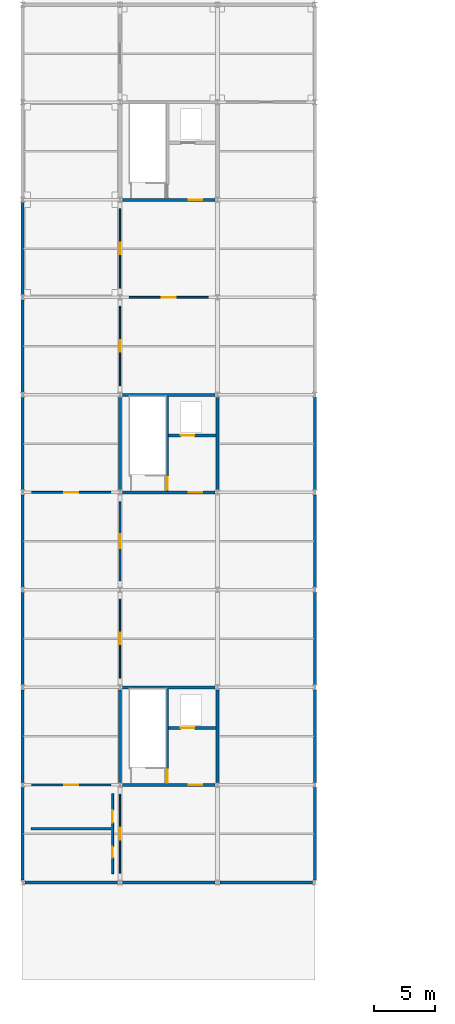
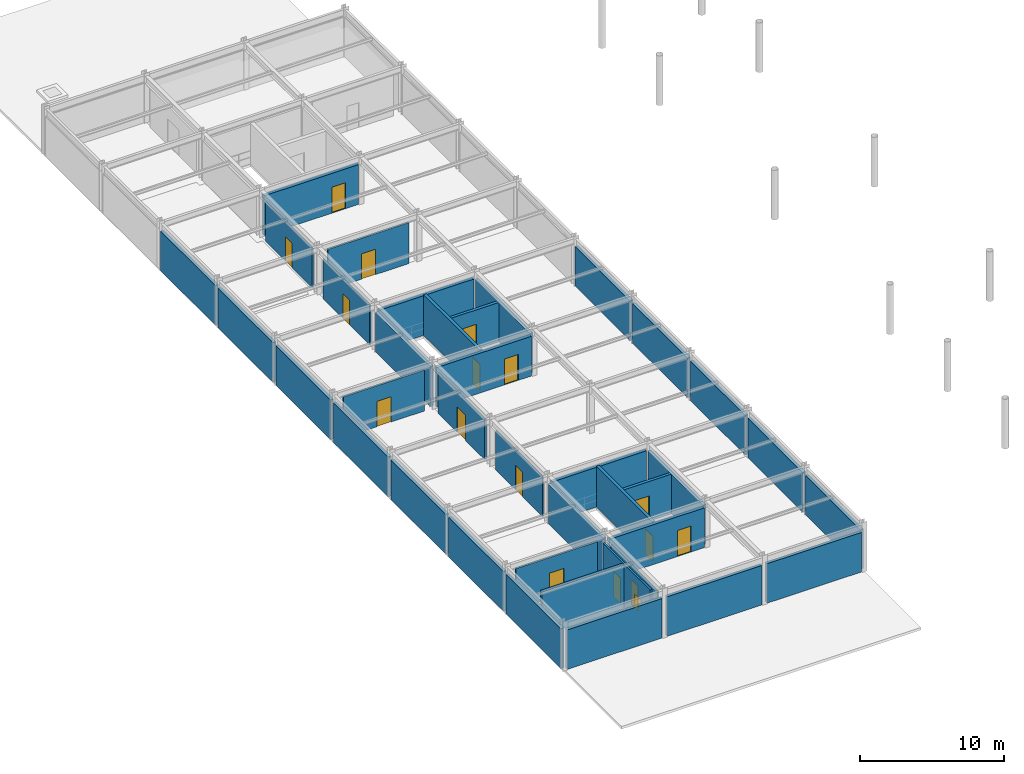
# One storey, part 34 of 41: 38 walls, 17 doors, 17 openings.
"""IFC4 building model written with IfcOpenShell, lengths in metres."""

from ifc_helpers import new_model, si_unit, direction, frame, frame_2d, origin, place, context, subcontext, project, spatial, rectangle, extrude, material, layer, layer_set, type_object, element, fill, save


model = new_model("IFC4")

# Units and contexts
model_context = context("Model", 3, precision=1e-05, world=origin(), true_north=direction((0.0, 1.0)))
body_context = subcontext(model_context, "Body", "Model", "MODEL_VIEW")
ifc_project = project(units=[si_unit("LENGTHUNIT", "METRE"), si_unit("AREAUNIT", "SQUARE_METRE"), si_unit("VOLUMEUNIT", "CUBIC_METRE"), si_unit("PLANEANGLEUNIT", "RADIAN"), si_unit("MASSUNIT", "GRAM", prefix="KILO")], contexts=[model_context])

# Site, building, storey
site_placement = place(None, origin())
site = spatial("IfcSite", under=ifc_project, at=site_placement, CompositionType="ELEMENT")
building_placement = place(site_placement, origin())
building = spatial("IfcBuilding", under=site, at=building_placement, Name="Haebicheon Civic Stadium", CompositionType="ELEMENT")
storey_placement = place(building_placement, frame((0.0, 0.0, 27.0)))
storey = spatial("IfcBuildingStorey", under=building, at=storey_placement, Name="L07", CompositionType="ELEMENT", Elevation=27.0)

# Wall, opening, door
ifc_material_1 = material(Name="Concrete C40/50", Category="concrete")
ifc_layer_1 = layer(ifc_material_1, 0.239990234375, Name="Concrete C40/50")
ifc_layer_set_1 = layer_set([ifc_layer_1], Name="Concrete C40/50")
wall_type_1 = type_object("IfcWallType", Name="CW-SHR-240", PredefinedType="SHEAR", material=ifc_layer_set_1)
wall_1_placement = place(storey_placement, frame((32.199951171875, 56.0, 0.0), z_axis=(0.0, 0.0, 1.0), x_axis=(1.0, 0.0, 0.0)))
wall_1 = element("IfcWall", 1, at=wall_1_placement, inside=storey, type_object=wall_type_1, material=ifc_layer_set_1, Name="KC-02 L07 south core shear wall", PredefinedType="SHEAR", context=body_context, shape_type="SweptSolid", body=[
    extrude(rectangle(XDim=7.60009765625, YDim=0.239990234375, at=frame_2d((3.800048828125, 0.0))), origin(), (0.0, 0.0, 1.0), 3.3701171875),
])
opening_1_placement = place(wall_1_placement, frame((5.449951171875, 0.0, 0.0)))
opening_1 = element("IfcOpeningElement", 2, at=opening_1_placement, cuts=wall_1, Name="Opening D-L07-KC-02-LOB", PredefinedType="OPENING", context=body_context, shape_type="SweptSolid", body=[
    extrude(rectangle(XDim=1.10009765625, YDim=2.199951171875, at=frame_2d((0.550048828125, 1.10009765625))), frame((0.0, 0.1298828125, 0.0), z_axis=(0.0, -1.0, 0.0), x_axis=(1.0, 0.0, 0.0)), (0.0, 0.0, 1.0), 0.260009765625),
])
ifc_material_2 = material(Name="Galvanised painted steel SM355", Category="steel")
door_type_1 = type_object("IfcDoorType", Name="ID-FD-1100", OperationType="NOTDEFINED", PredefinedType="DOOR", material=ifc_material_2)
door_1_placement = place(opening_1_placement, origin())
door_1 = element("IfcDoor", 3, at=door_1_placement, inside=storey, type_object=door_type_1, material=ifc_material_2, Name="L07 KC-02 lobby fire door", OperationType="SINGLE_SWING_RIGHT", OverallHeight=2.199951171875, OverallWidth=1.10009765625, PredefinedType="DOOR", context=body_context, shape_type="SweptSolid", body=[
    extrude(rectangle(XDim=1.10009765625, YDim=2.199951171875, at=frame_2d((0.550048828125, 1.10009765625))), frame((0.0, 0.02490234375, 0.0), z_axis=(0.0, -1.0, 0.0), x_axis=(1.0, 0.0, 0.0)), (0.0, 0.0, 1.0), 0.050048828125),
])
fill(opening_1, door_1)

# Walls
for number, where, z_axis, x_axis, name in (
    (4, (32.199951171875, 64.0, 0.0), (0.0, 0.0, 1.0), (1.0, 0.0, 0.0), "KC-02 L07 north core shear wall"),
    (5, (32.0, 56.199951171875, 0.0), (0.0, 0.0, 1.0), (0.0, 1.0, 0.0), "KC-02 L07 west core shear wall"),
    (6, (40.0, 56.199951171875, 0.0), (0.0, 0.0, 1.0), (0.0, 1.0, 0.0), "KC-02 L07 east core shear wall"),
):
    element("IfcWall", number, at=place(storey_placement, frame(where, z_axis=z_axis, x_axis=x_axis)), inside=storey, type_object=wall_type_1, material=ifc_layer_set_1, Name=name, PredefinedType="SHEAR", context=body_context, shape_type="SweptSolid", body=[
        extrude(rectangle(XDim=7.60009765625, YDim=0.239990234375, at=frame_2d((3.800048828125, 0.0))), origin(), (0.0, 0.0, 1.0), 3.3701171875),
    ])

# Wall, opening, door
wall_2_placement = place(storey_placement, frame((35.8798828125, 56.1201171875, 0.0), z_axis=(0.0, 0.0, 1.0), x_axis=(0.0, 1.0, 0.0)))
wall_2 = element("IfcWall", 7, at=wall_2_placement, inside=storey, type_object=wall_type_1, material=ifc_layer_set_1, Name="KC-02 L07 stair-lobby dividing shear wall", PredefinedType="SHEAR", context=body_context, shape_type="SweptSolid", body=[
    extrude(rectangle(XDim=7.759765625, YDim=0.239990234375, at=frame_2d((3.8798828125, 0.0))), origin(), (0.0, 0.0, 1.0), 3.469970703125),
])
opening_2_placement = place(wall_2_placement, frame((0.080078125, 0.0, 0.0)))
opening_2 = element("IfcOpeningElement", 8, at=opening_2_placement, cuts=wall_2, Name="Opening D-L07-KC-02-STR", PredefinedType="OPENING", context=body_context, shape_type="SweptSolid", body=[
    extrude(rectangle(XDim=1.050048828125, YDim=2.14990234375, at=frame_2d((0.52490234375, 1.074951171875))), frame((0.0, 0.1298828125, 0.0), z_axis=(0.0, -1.0, 0.0), x_axis=(1.0, 0.0, 0.0)), (0.0, 0.0, 1.0), 0.260009765625),
])
ifc_material_3 = material(Name="Galvanised painted steel SM355", Category="steel")
door_type_2 = type_object("IfcDoorType", Name="ID-FD-1050", OperationType="NOTDEFINED", PredefinedType="DOOR", material=ifc_material_3)
door_2_placement = place(opening_2_placement, origin())
door_2 = element("IfcDoor", 9, at=door_2_placement, inside=storey, type_object=door_type_2, material=ifc_material_3, Name="L07 ST-02 stairwell escape door", OperationType="SINGLE_SWING_LEFT", OverallHeight=2.14990234375, OverallWidth=1.050048828125, PredefinedType="DOOR", context=body_context, shape_type="SweptSolid", body=[
    extrude(rectangle(XDim=1.050048828125, YDim=2.14990234375, at=frame_2d((0.52490234375, 1.074951171875))), frame((0.0, 0.02490234375, 0.0), z_axis=(0.0, -1.0, 0.0), x_axis=(1.0, 0.0, 0.0)), (0.0, 0.0, 1.0), 0.050048828125),
])
fill(opening_2, door_2)

wall_3_placement = place(storey_placement, frame((36.0, 60.679931640625, 0.0), z_axis=(0.0, 0.0, 1.0), x_axis=(1.0, 0.0, 0.0)))
wall_3 = element("IfcWall", 10, at=wall_3_placement, inside=storey, type_object=wall_type_1, material=ifc_layer_set_1, Name="KC-02 L07 lift shaft front wall", PredefinedType="SHEAR", context=body_context, shape_type="SweptSolid", body=[
    extrude(rectangle(XDim=3.8798828125, YDim=0.239990234375, at=frame_2d((1.93994140625, 0.0))), origin(), (0.0, 0.0, 1.0), 3.3701171875),
])
opening_3_placement = place(wall_3_placement, frame((1.0, 0.0, 0.0)))
opening_3 = element("IfcOpeningElement", 11, at=opening_3_placement, cuts=wall_3, Name="Opening LD-02-L07", PredefinedType="OPENING", context=body_context, shape_type="SweptSolid", body=[
    extrude(rectangle(XDim=1.10009765625, YDim=2.14990234375, at=frame_2d((0.550048828125, 1.074951171875))), frame((0.0, 0.1298828125, 0.0), z_axis=(0.0, -1.0, 0.0), x_axis=(1.0, 0.0, 0.0)), (0.0, 0.0, 1.0), 0.260009765625),
])
ifc_material_4 = material(Name="Stainless steel 316", Category="steel")
door_type_3 = type_object("IfcDoorType", Name="ID-LD-1100", OperationType="NOTDEFINED", PredefinedType="DOOR", material=ifc_material_4)
door_3_placement = place(opening_3_placement, origin())
door_3 = element("IfcDoor", 12, at=door_3_placement, inside=storey, type_object=door_type_3, material=ifc_material_4, Name="LF-02 lift landing sliding door L07", OperationType="SLIDING_TO_LEFT", OverallHeight=2.14990234375, OverallWidth=1.10009765625, PredefinedType="DOOR", context=body_context, shape_type="SweptSolid", body=[
    extrude(rectangle(XDim=1.10009765625, YDim=2.14990234375, at=frame_2d((0.550048828125, 1.074951171875))), frame((0.0, 0.02490234375, 0.0), z_axis=(0.0, -1.0, 0.0), x_axis=(1.0, 0.0, 0.0)), (0.0, 0.0, 1.0), 0.050048828125),
])
fill(opening_3, door_3)

wall_4_placement = place(storey_placement, frame((32.199951171875, 80.0, 0.0), z_axis=(0.0, 0.0, 1.0), x_axis=(1.0, 0.0, 0.0)))
wall_4 = element("IfcWall", 13, at=wall_4_placement, inside=storey, type_object=wall_type_1, material=ifc_layer_set_1, Name="KC-03 L07 south core shear wall", PredefinedType="SHEAR", context=body_context, shape_type="SweptSolid", body=[
    extrude(rectangle(XDim=7.60009765625, YDim=0.239990234375, at=frame_2d((3.800048828125, 0.0))), origin(), (0.0, 0.0, 1.0), 3.3701171875),
])
opening_4_placement = place(wall_4_placement, frame((5.449951171875, 0.0, 0.0)))
opening_4 = element("IfcOpeningElement", 14, at=opening_4_placement, cuts=wall_4, Name="Opening D-L07-KC-03-LOB", PredefinedType="OPENING", context=body_context, shape_type="SweptSolid", body=[
    extrude(rectangle(XDim=1.10009765625, YDim=2.199951171875, at=frame_2d((0.550048828125, 1.10009765625))), frame((0.0, 0.1298828125, 0.0), z_axis=(0.0, -1.0, 0.0), x_axis=(1.0, 0.0, 0.0)), (0.0, 0.0, 1.0), 0.260009765625),
])
door_4_placement = place(opening_4_placement, origin())
door_4 = element("IfcDoor", 15, at=door_4_placement, inside=storey, type_object=door_type_1, material=ifc_material_2, Name="L07 KC-03 lobby fire door", OperationType="SINGLE_SWING_RIGHT", OverallHeight=2.199951171875, OverallWidth=1.10009765625, PredefinedType="DOOR", context=body_context, shape_type="SweptSolid", body=[
    extrude(rectangle(XDim=1.10009765625, YDim=2.199951171875, at=frame_2d((0.550048828125, 1.10009765625))), frame((0.0, 0.02490234375, 0.0), z_axis=(0.0, -1.0, 0.0), x_axis=(1.0, 0.0, 0.0)), (0.0, 0.0, 1.0), 0.050048828125),
])
fill(opening_4, door_4)

# Walls
for number, where, z_axis, x_axis, name in (
    (16, (32.199951171875, 88.0, 0.0), (0.0, 0.0, 1.0), (1.0, 0.0, 0.0), "KC-03 L07 north core shear wall"),
    (17, (32.0, 80.199951171875, 0.0), (0.0, 0.0, 1.0), (0.0, 1.0, 0.0), "KC-03 L07 west core shear wall"),
    (18, (40.0, 80.199951171875, 0.0), (0.0, 0.0, 1.0), (0.0, 1.0, 0.0), "KC-03 L07 east core shear wall"),
):
    element("IfcWall", number, at=place(storey_placement, frame(where, z_axis=z_axis, x_axis=x_axis)), inside=storey, type_object=wall_type_1, material=ifc_layer_set_1, Name=name, PredefinedType="SHEAR", context=body_context, shape_type="SweptSolid", body=[
        extrude(rectangle(XDim=7.60009765625, YDim=0.239990234375, at=frame_2d((3.800048828125, 0.0))), origin(), (0.0, 0.0, 1.0), 3.3701171875),
    ])

# Wall, opening, door
wall_5_placement = place(storey_placement, frame((35.8798828125, 80.1201171875, 0.0), z_axis=(0.0, 0.0, 1.0), x_axis=(0.0, 1.0, 0.0)))
wall_5 = element("IfcWall", 19, at=wall_5_placement, inside=storey, type_object=wall_type_1, material=ifc_layer_set_1, Name="KC-03 L07 stair-lobby dividing shear wall", PredefinedType="SHEAR", context=body_context, shape_type="SweptSolid", body=[
    extrude(rectangle(XDim=7.759765625, YDim=0.239990234375, at=frame_2d((3.8798828125, 0.0))), origin(), (0.0, 0.0, 1.0), 3.469970703125),
])
opening_5_placement = place(wall_5_placement, frame((0.080078125, 0.0, 0.0)))
opening_5 = element("IfcOpeningElement", 20, at=opening_5_placement, cuts=wall_5, Name="Opening D-L07-KC-03-STR", PredefinedType="OPENING", context=body_context, shape_type="SweptSolid", body=[
    extrude(rectangle(XDim=1.050048828125, YDim=2.14990234375, at=frame_2d((0.52490234375, 1.074951171875))), frame((0.0, 0.1298828125, 0.0), z_axis=(0.0, -1.0, 0.0), x_axis=(1.0, 0.0, 0.0)), (0.0, 0.0, 1.0), 0.260009765625),
])
door_5_placement = place(opening_5_placement, origin())
door_5 = element("IfcDoor", 21, at=door_5_placement, inside=storey, type_object=door_type_2, material=ifc_material_3, Name="L07 ST-03 stairwell escape door", OperationType="SINGLE_SWING_LEFT", OverallHeight=2.14990234375, OverallWidth=1.050048828125, PredefinedType="DOOR", context=body_context, shape_type="SweptSolid", body=[
    extrude(rectangle(XDim=1.050048828125, YDim=2.14990234375, at=frame_2d((0.52490234375, 1.074951171875))), frame((0.0, 0.02490234375, 0.0), z_axis=(0.0, -1.0, 0.0), x_axis=(1.0, 0.0, 0.0)), (0.0, 0.0, 1.0), 0.050048828125),
])
fill(opening_5, door_5)

wall_6_placement = place(storey_placement, frame((36.0, 84.679931640625, 0.0), z_axis=(0.0, 0.0, 1.0), x_axis=(1.0, 0.0, 0.0)))
wall_6 = element("IfcWall", 22, at=wall_6_placement, inside=storey, type_object=wall_type_1, material=ifc_layer_set_1, Name="KC-03 L07 lift shaft front wall", PredefinedType="SHEAR", context=body_context, shape_type="SweptSolid", body=[
    extrude(rectangle(XDim=3.8798828125, YDim=0.239990234375, at=frame_2d((1.93994140625, 0.0))), origin(), (0.0, 0.0, 1.0), 3.3701171875),
])
opening_6_placement = place(wall_6_placement, frame((1.0, 0.0, 0.0)))
opening_6 = element("IfcOpeningElement", 23, at=opening_6_placement, cuts=wall_6, Name="Opening LD-03-L07", PredefinedType="OPENING", context=body_context, shape_type="SweptSolid", body=[
    extrude(rectangle(XDim=1.10009765625, YDim=2.14990234375, at=frame_2d((0.550048828125, 1.074951171875))), frame((0.0, 0.1298828125, 0.0), z_axis=(0.0, -1.0, 0.0), x_axis=(1.0, 0.0, 0.0)), (0.0, 0.0, 1.0), 0.260009765625),
])
door_6_placement = place(opening_6_placement, origin())
door_6 = element("IfcDoor", 24, at=door_6_placement, inside=storey, type_object=door_type_3, material=ifc_material_4, Name="LF-03 lift landing sliding door L07", OperationType="SLIDING_TO_LEFT", OverallHeight=2.14990234375, OverallWidth=1.10009765625, PredefinedType="DOOR", context=body_context, shape_type="SweptSolid", body=[
    extrude(rectangle(XDim=1.10009765625, YDim=2.14990234375, at=frame_2d((0.550048828125, 1.074951171875))), frame((0.0, 0.02490234375, 0.0), z_axis=(0.0, -1.0, 0.0), x_axis=(1.0, 0.0, 0.0)), (0.0, 0.0, 1.0), 0.050048828125),
])
fill(opening_6, door_6)

wall_7_placement = place(storey_placement, frame((32.199951171875, 104.0, 0.0), z_axis=(0.0, 0.0, 1.0), x_axis=(1.0, 0.0, 0.0)))
wall_7 = element("IfcWall", 25, at=wall_7_placement, inside=storey, type_object=wall_type_1, material=ifc_layer_set_1, Name="KC-04 L07 south core shear wall", PredefinedType="SHEAR", context=body_context, shape_type="SweptSolid", body=[
    extrude(rectangle(XDim=7.60009765625, YDim=0.239990234375, at=frame_2d((3.800048828125, 0.0))), origin(), (0.0, 0.0, 1.0), 3.3701171875),
])
opening_7_placement = place(wall_7_placement, frame((5.449951171875, 0.0, 0.0)))
opening_7 = element("IfcOpeningElement", 26, at=opening_7_placement, cuts=wall_7, Name="Opening D-L07-KC-04-LOB", PredefinedType="OPENING", context=body_context, shape_type="SweptSolid", body=[
    extrude(rectangle(XDim=1.10009765625, YDim=2.199951171875, at=frame_2d((0.550048828125, 1.10009765625))), frame((0.0, 0.1298828125, 0.0), z_axis=(0.0, -1.0, 0.0), x_axis=(1.0, 0.0, 0.0)), (0.0, 0.0, 1.0), 0.260009765625),
])
door_7_placement = place(opening_7_placement, origin())
door_7 = element("IfcDoor", 27, at=door_7_placement, inside=storey, type_object=door_type_1, material=ifc_material_2, Name="L07 KC-04 lobby fire door", OperationType="SINGLE_SWING_RIGHT", OverallHeight=2.199951171875, OverallWidth=1.10009765625, PredefinedType="DOOR", context=body_context, shape_type="SweptSolid", body=[
    extrude(rectangle(XDim=1.10009765625, YDim=2.199951171875, at=frame_2d((0.550048828125, 1.10009765625))), frame((0.0, 0.02490234375, 0.0), z_axis=(0.0, -1.0, 0.0), x_axis=(1.0, 0.0, 0.0)), (0.0, 0.0, 1.0), 0.050048828125),
])
fill(opening_7, door_7)

# Walls
ifc_material_5 = material(Name="Precast concrete C40/50", Category="concrete")
ifc_layer_2 = layer(ifc_material_5, 0.260009765625, Name="Precast concrete C40/50")
ifc_layer_set_2 = layer_set([ifc_layer_2], Name="Precast concrete C40/50")
wall_type_2 = type_object("IfcWallType", Name="EW-BM-260", PredefinedType="SOLIDWALL", material=ifc_layer_set_2)
for number, where, z_axis, x_axis, name in (
    (28, (24.199951171875, 48.0, 0.0), (0.0, 0.0, 1.0), (1.0, 0.0, 0.0), "L07 board-marked concrete facade wall 03-06-S"),
    (29, (24.0, 48.199951171875, 0.0), (0.0, 0.0, 1.0), (0.0, 1.0, 0.0), "L07 board-marked concrete facade wall 03-06-W"),
    (30, (24.0, 56.199951171875, 0.0), (0.0, 0.0, 1.0), (0.0, 1.0, 0.0), "L07 board-marked concrete facade wall 03-07-W"),
    (31, (24.0, 64.199951171875, 0.0), (0.0, 0.0, 1.0), (0.0, 1.0, 0.0), "L07 board-marked concrete facade wall 03-08-W"),
    (32, (24.0, 72.199951171875, 0.0), (0.0, 0.0, 1.0), (0.0, 1.0, 0.0), "L07 board-marked concrete facade wall 03-09-W"),
    (33, (24.0, 80.199951171875, 0.0), (0.0, 0.0, 1.0), (0.0, 1.0, 0.0), "L07 board-marked concrete facade wall 03-10-W"),
    (34, (24.0, 88.199951171875, 0.0), (0.0, 0.0, 1.0), (0.0, 1.0, 0.0), "L07 board-marked concrete facade wall 03-11-W"),
    (35, (24.0, 96.199951171875, 0.0), (0.0, 0.0, 1.0), (0.0, 1.0, 0.0), "L07 board-marked concrete facade wall 03-12-W"),
    (36, (32.199951171875, 48.0, 0.0), (0.0, 0.0, 1.0), (1.0, 0.0, 0.0), "L07 board-marked concrete facade wall 04-06-S"),
    (37, (40.199951171875, 48.0, 0.0), (0.0, 0.0, 1.0), (1.0, 0.0, 0.0), "L07 board-marked concrete facade wall 05-06-S"),
    (38, (48.0, 48.199951171875, 0.0), (0.0, 0.0, 1.0), (0.0, 1.0, 0.0), "L07 board-marked concrete facade wall 06-06-E"),
    (39, (48.0, 56.199951171875, 0.0), (0.0, 0.0, 1.0), (0.0, 1.0, 0.0), "L07 board-marked concrete facade wall 06-07-E"),
    (40, (48.0, 64.199951171875, 0.0), (0.0, 0.0, 1.0), (0.0, 1.0, 0.0), "L07 board-marked concrete facade wall 06-08-E"),
    (41, (48.0, 72.199951171875, 0.0), (0.0, 0.0, 1.0), (0.0, 1.0, 0.0), "L07 board-marked concrete facade wall 06-09-E"),
    (42, (48.0, 80.199951171875, 0.0), (0.0, 0.0, 1.0), (0.0, 1.0, 0.0), "L07 board-marked concrete facade wall 06-10-E"),
):
    element("IfcWall", number, at=place(storey_placement, frame(where, z_axis=z_axis, x_axis=x_axis)), inside=storey, type_object=wall_type_2, material=ifc_layer_set_2, Name=name, PredefinedType="SOLIDWALL", context=body_context, shape_type="SweptSolid", body=[
        extrude(rectangle(XDim=7.60009765625, YDim=0.260009765625, at=frame_2d((3.800048828125, 0.0))), origin(), (0.0, 0.0, 1.0), 3.35009765625),
    ])
ifc_material_6 = material(Name="Concrete C35/45", Category="concrete")
ifc_layer_3 = layer(ifc_material_6, 0.219970703125, Name="Concrete C35/45")
ifc_layer_set_3 = layer_set([ifc_layer_3], Name="Concrete C35/45")
wall_type_3 = type_object("IfcWallType", Name="IW-PLB-220", PredefinedType="PLUMBINGWALL", material=ifc_layer_set_3)
wall_8_placement = place(storey_placement, frame((24.719970703125, 52.39990234375, 0.0), z_axis=(0.0, 0.0, 1.0), x_axis=(1.0, 0.0, 0.0)))
element("IfcWall", 43, at=wall_8_placement, inside=storey, type_object=wall_type_3, material=ifc_layer_set_3, Name="L07 sanitary plumbing chase wall 21", PredefinedType="PLUMBINGWALL", context=body_context, shape_type="SweptSolid", body=[
    extrude(rectangle(XDim=6.56005859375, YDim=0.219970703125, at=frame_2d((3.280029296875, 0.0))), origin(), (0.0, 0.0, 1.0), 3.719970703125),
])

# Wall, opening, door
ifc_material_7 = material(Name="Anodised aluminium and laminated glass", Category="aluminium")
ifc_layer_4 = layer(ifc_material_7, 0.10009765625, Name="Anodised aluminium and laminated glass")
ifc_layer_set_4 = layer_set([ifc_layer_4], Name="Anodised aluminium and laminated glass")
wall_type_4 = type_object("IfcWallType", Name="IW-PRT-100", PredefinedType="PARTITIONING", material=ifc_layer_set_4)
wall_9_placement = place(storey_placement, frame((32.0, 64.75, 0.0), z_axis=(0.0, 0.0, 1.0), x_axis=(0.0, 1.0, 0.0)))
wall_9 = element("IfcWall", 44, at=wall_9_placement, inside=storey, type_object=wall_type_4, material=ifc_layer_set_4, Name="L07 Press Tribune partition wall", PredefinedType="PARTITIONING", context=body_context, shape_type="SweptSolid", body=[
    extrude(rectangle(XDim=6.5, YDim=0.10009765625, at=frame_2d((3.25, 0.0))), origin(), (0.0, 0.0, 1.0), 3.3701171875),
])
opening_8_placement = place(wall_9_placement, frame((2.77490234375, 0.0, 0.0)))
opening_8 = element("IfcOpeningElement", 45, at=opening_8_placement, cuts=wall_9, Name="Opening D-L07-467", PredefinedType="OPENING", context=body_context, shape_type="SweptSolid", body=[
    extrude(rectangle(XDim=0.949951171875, YDim=2.10009765625, at=frame_2d((0.47509765625, 1.050048828125))), frame((0.0, 0.06005859375, 0.0), z_axis=(0.0, -1.0, 0.0), x_axis=(1.0, 0.0, 0.0)), (0.0, 0.0, 1.0), 0.1201171875),
])
ifc_material_8 = material(Name="Engineered hardwood timber", Category="wood")
door_type_4 = type_object("IfcDoorType", Name="ID-RM-0950", OperationType="NOTDEFINED", PredefinedType="DOOR", material=ifc_material_8)
door_8_placement = place(opening_8_placement, origin())
door_8 = element("IfcDoor", 46, at=door_8_placement, inside=storey, type_object=door_type_4, material=ifc_material_8, Name="L07 Press Tribune entrance door D-L07-467", OperationType="SINGLE_SWING_RIGHT", OverallHeight=2.10009765625, OverallWidth=0.949951171875, PredefinedType="DOOR", context=body_context, shape_type="SweptSolid", body=[
    extrude(rectangle(XDim=0.949951171875, YDim=2.10009765625, at=frame_2d((0.47509765625, 1.050048828125))), frame((0.0, 0.02490234375, 0.0), z_axis=(0.0, -1.0, 0.0), x_axis=(1.0, 0.0, 0.0)), (0.0, 0.0, 1.0), 0.050048828125),
])
fill(opening_8, door_8)

wall_10_placement = place(storey_placement, frame((32.0, 96.75, 0.0), z_axis=(0.0, 0.0, 1.0), x_axis=(0.0, 1.0, 0.0)))
wall_10 = element("IfcWall", 47, at=wall_10_placement, inside=storey, type_object=wall_type_4, material=ifc_layer_set_4, Name="L07 Radio Commentary Booth partition wall", PredefinedType="PARTITIONING", context=body_context, shape_type="SweptSolid", body=[
    extrude(rectangle(XDim=6.5, YDim=0.10009765625, at=frame_2d((3.25, 0.0))), origin(), (0.0, 0.0, 1.0), 3.3701171875),
])
opening_9_placement = place(wall_10_placement, frame((2.77490234375, 0.0, 0.0)))
opening_9 = element("IfcOpeningElement", 48, at=opening_9_placement, cuts=wall_10, Name="Opening D-L07-469", PredefinedType="OPENING", context=body_context, shape_type="SweptSolid", body=[
    extrude(rectangle(XDim=0.949951171875, YDim=2.10009765625, at=frame_2d((0.47509765625, 1.050048828125))), frame((0.0, 0.06005859375, 0.0), z_axis=(0.0, -1.0, 0.0), x_axis=(1.0, 0.0, 0.0)), (0.0, 0.0, 1.0), 0.1201171875),
])
door_9_placement = place(opening_9_placement, origin())
door_9 = element("IfcDoor", 49, at=door_9_placement, inside=storey, type_object=door_type_4, material=ifc_material_8, Name="L07 Radio Commentary Booth entrance door D-L07-469", OperationType="SINGLE_SWING_RIGHT", OverallHeight=2.10009765625, OverallWidth=0.949951171875, PredefinedType="DOOR", context=body_context, shape_type="SweptSolid", body=[
    extrude(rectangle(XDim=0.949951171875, YDim=2.10009765625, at=frame_2d((0.47509765625, 1.050048828125))), frame((0.0, 0.02490234375, 0.0), z_axis=(0.0, -1.0, 0.0), x_axis=(1.0, 0.0, 0.0)), (0.0, 0.0, 1.0), 0.050048828125),
])
fill(opening_9, door_9)

wall_11_placement = place(storey_placement, frame((32.0, 48.75, 0.0), z_axis=(0.0, 0.0, 1.0), x_axis=(0.0, 1.0, 0.0)))
wall_11 = element("IfcWall", 50, at=wall_11_placement, inside=storey, type_object=wall_type_4, material=ifc_layer_set_4, Name="L07 Photographer's Workroom partition wall", PredefinedType="PARTITIONING", context=body_context, shape_type="SweptSolid", body=[
    extrude(rectangle(XDim=6.5, YDim=0.10009765625, at=frame_2d((3.25, 0.0))), origin(), (0.0, 0.0, 1.0), 3.3701171875),
])
opening_10_placement = place(wall_11_placement, frame((2.77490234375, 0.0, 0.0)))
opening_10 = element("IfcOpeningElement", 51, at=opening_10_placement, cuts=wall_11, Name="Opening D-L07-471", PredefinedType="OPENING", context=body_context, shape_type="SweptSolid", body=[
    extrude(rectangle(XDim=0.949951171875, YDim=2.10009765625, at=frame_2d((0.47509765625, 1.050048828125))), frame((0.0, 0.06005859375, 0.0), z_axis=(0.0, -1.0, 0.0), x_axis=(1.0, 0.0, 0.0)), (0.0, 0.0, 1.0), 0.1201171875),
])
door_10_placement = place(opening_10_placement, origin())
door_10 = element("IfcDoor", 52, at=door_10_placement, inside=storey, type_object=door_type_4, material=ifc_material_8, Name="L07 Photographer's Workroom entrance door D-L07-471", OperationType="SINGLE_SWING_LEFT", OverallHeight=2.10009765625, OverallWidth=0.949951171875, PredefinedType="DOOR", context=body_context, shape_type="SweptSolid", body=[
    extrude(rectangle(XDim=0.949951171875, YDim=2.10009765625, at=frame_2d((0.47509765625, 1.050048828125))), frame((0.0, 0.02490234375, 0.0), z_axis=(0.0, -1.0, 0.0), x_axis=(1.0, 0.0, 0.0)), (0.0, 0.0, 1.0), 0.050048828125),
])
fill(opening_10, door_10)

wall_12_placement = place(storey_placement, frame((32.0, 88.75, 0.0), z_axis=(0.0, 0.0, 1.0), x_axis=(0.0, 1.0, 0.0)))
wall_12 = element("IfcWall", 53, at=wall_12_placement, inside=storey, type_object=wall_type_4, material=ifc_layer_set_4, Name="L07 Press Tribune partition wall", PredefinedType="PARTITIONING", context=body_context, shape_type="SweptSolid", body=[
    extrude(rectangle(XDim=6.5, YDim=0.10009765625, at=frame_2d((3.25, 0.0))), origin(), (0.0, 0.0, 1.0), 3.3701171875),
])
opening_11_placement = place(wall_12_placement, frame((2.77490234375, 0.0, 0.0)))
opening_11 = element("IfcOpeningElement", 54, at=opening_11_placement, cuts=wall_12, Name="Opening D-L07-473", PredefinedType="OPENING", context=body_context, shape_type="SweptSolid", body=[
    extrude(rectangle(XDim=0.949951171875, YDim=2.10009765625, at=frame_2d((0.47509765625, 1.050048828125))), frame((0.0, 0.06005859375, 0.0), z_axis=(0.0, -1.0, 0.0), x_axis=(1.0, 0.0, 0.0)), (0.0, 0.0, 1.0), 0.1201171875),
])
door_11_placement = place(opening_11_placement, origin())
door_11 = element("IfcDoor", 55, at=door_11_placement, inside=storey, type_object=door_type_4, material=ifc_material_8, Name="L07 Press Tribune entrance door D-L07-473", OperationType="SINGLE_SWING_LEFT", OverallHeight=2.10009765625, OverallWidth=0.949951171875, PredefinedType="DOOR", context=body_context, shape_type="SweptSolid", body=[
    extrude(rectangle(XDim=0.949951171875, YDim=2.10009765625, at=frame_2d((0.47509765625, 1.050048828125))), frame((0.0, 0.02490234375, 0.0), z_axis=(0.0, -1.0, 0.0), x_axis=(1.0, 0.0, 0.0)), (0.0, 0.0, 1.0), 0.050048828125),
])
fill(opening_11, door_11)

# Wall, openings, doors
ifc_material_9 = material(Name="Gypsum plasterboard on steel studs", Category="gypsum")
ifc_layer_5 = layer(ifc_material_9, 0.14990234375, Name="Gypsum plasterboard on steel studs")
ifc_layer_set_5 = layer_set([ifc_layer_5], Name="Gypsum plasterboard on steel studs")
wall_type_5 = type_object("IfcWallType", Name="IW-PRT-150", PredefinedType="PARTITIONING", material=ifc_layer_set_5)
wall_13_placement = place(storey_placement, frame((31.39990234375, 48.719970703125, 0.0), z_axis=(0.0, 0.0, 1.0), x_axis=(0.0, 1.0, 0.0)))
wall_13 = element("IfcWall", 56, at=wall_13_placement, inside=storey, type_object=wall_type_5, material=ifc_layer_set_5, Name="L07 sanitary enclosure front wall 21", PredefinedType="PARTITIONING", context=body_context, shape_type="SweptSolid", body=[
    extrude(rectangle(XDim=6.56005859375, YDim=0.14990234375, at=frame_2d((3.280029296875, 0.0))), origin(), (0.0, 0.0, 1.0), 3.719970703125),
])
opening_12_placement = place(wall_13_placement, frame((1.300048828125, 0.0, 0.0)))
opening_12 = element("IfcOpeningElement", 57, at=opening_12_placement, cuts=wall_13, Name="Opening D-L07-WC-21A", PredefinedType="OPENING", context=body_context, shape_type="SweptSolid", body=[
    extrude(rectangle(XDim=0.89990234375, YDim=2.10009765625, at=frame_2d((0.449951171875, 1.050048828125))), frame((0.0, 0.0849609375, 0.0), z_axis=(0.0, -1.0, 0.0), x_axis=(1.0, 0.0, 0.0)), (0.0, 0.0, 1.0), 0.169921875),
])
opening_13_placement = place(wall_13_placement, frame((4.199951171875, 0.0, 0.0)))
opening_13 = element("IfcOpeningElement", 58, at=opening_13_placement, cuts=wall_13, Name="Opening D-L07-AWC-21B", PredefinedType="OPENING", context=body_context, shape_type="SweptSolid", body=[
    extrude(rectangle(XDim=1.0, YDim=2.14990234375, at=frame_2d((0.5, 1.074951171875))), frame((0.0, 0.0849609375, 0.0), z_axis=(0.0, -1.0, 0.0), x_axis=(1.0, 0.0, 0.0)), (0.0, 0.0, 1.0), 0.169921875),
])
ifc_material_10 = material(Name="Anodised aluminium 6063-T6", Category="aluminium")
door_type_5 = type_object("IfcDoorType", Name="ID-AWC-1000", OperationType="NOTDEFINED", PredefinedType="DOOR", material=ifc_material_10)
door_12_placement = place(opening_13_placement, origin())
door_12 = element("IfcDoor", 59, at=door_12_placement, inside=storey, type_object=door_type_5, material=ifc_material_10, Name="L07 accessible WC door 21", OperationType="SINGLE_SWING_RIGHT", OverallHeight=2.14990234375, OverallWidth=1.0, PredefinedType="DOOR", context=body_context, shape_type="SweptSolid", body=[
    extrude(rectangle(XDim=1.0, YDim=2.14990234375, at=frame_2d((0.5, 1.074951171875))), frame((0.0, 0.02490234375, 0.0), z_axis=(0.0, -1.0, 0.0), x_axis=(1.0, 0.0, 0.0)), (0.0, 0.0, 1.0), 0.050048828125),
])
fill(opening_13, door_12)
ifc_material_11 = material(Name="Anodised aluminium 6063-T6", Category="aluminium")
door_type_6 = type_object("IfcDoorType", Name="ID-WC-0900", OperationType="NOTDEFINED", PredefinedType="DOOR", material=ifc_material_11)
door_13_placement = place(opening_12_placement, origin())
door_13 = element("IfcDoor", 60, at=door_13_placement, inside=storey, type_object=door_type_6, material=ifc_material_11, Name="L07 public restroom door 21", OperationType="SINGLE_SWING_LEFT", OverallHeight=2.10009765625, OverallWidth=0.89990234375, PredefinedType="DOOR", context=body_context, shape_type="SweptSolid", body=[
    extrude(rectangle(XDim=0.89990234375, YDim=2.10009765625, at=frame_2d((0.449951171875, 1.050048828125))), frame((0.0, 0.02490234375, 0.0), z_axis=(0.0, -1.0, 0.0), x_axis=(1.0, 0.0, 0.0)), (0.0, 0.0, 1.0), 0.050048828125),
])
fill(opening_12, door_13)

# Wall, opening, door
wall_14_placement = place(storey_placement, frame((24.75, 56.0, 0.0), z_axis=(0.0, 0.0, 1.0), x_axis=(1.0, 0.0, 0.0)))
wall_14 = element("IfcWall", 61, at=wall_14_placement, inside=storey, type_object=wall_type_5, material=ifc_layer_set_5, Name="L07 Media Centre partition wall", PredefinedType="PARTITIONING", context=body_context, shape_type="SweptSolid", body=[
    extrude(rectangle(XDim=6.5, YDim=0.14990234375, at=frame_2d((3.25, 0.0))), origin(), (0.0, 0.0, 1.0), 3.469970703125),
])
opening_14_placement = place(wall_14_placement, frame((2.675048828125, 0.0, 0.0)))
opening_14 = element("IfcOpeningElement", 62, at=opening_14_placement, cuts=wall_14, Name="Opening D-L07-466", PredefinedType="OPENING", context=body_context, shape_type="SweptSolid", body=[
    extrude(rectangle(XDim=1.14990234375, YDim=2.14990234375, at=frame_2d((0.574951171875, 1.074951171875))), frame((0.0, 0.0849609375, 0.0), z_axis=(0.0, -1.0, 0.0), x_axis=(1.0, 0.0, 0.0)), (0.0, 0.0, 1.0), 0.169921875),
])
ifc_material_12 = material(Name="Engineered hardwood timber", Category="wood")
door_type_7 = type_object("IfcDoorType", Name="ID-RM-1150", OperationType="NOTDEFINED", PredefinedType="DOOR", material=ifc_material_12)
door_14_placement = place(opening_14_placement, origin())
door_14 = element("IfcDoor", 63, at=door_14_placement, inside=storey, type_object=door_type_7, material=ifc_material_12, Name="L07 Media Centre entrance door D-L07-466", OperationType="SINGLE_SWING_LEFT", OverallHeight=2.14990234375, OverallWidth=1.14990234375, PredefinedType="DOOR", context=body_context, shape_type="SweptSolid", body=[
    extrude(rectangle(XDim=1.14990234375, YDim=2.14990234375, at=frame_2d((0.574951171875, 1.074951171875))), frame((0.0, 0.02490234375, 0.0), z_axis=(0.0, -1.0, 0.0), x_axis=(1.0, 0.0, 0.0)), (0.0, 0.0, 1.0), 0.050048828125),
])
fill(opening_14, door_14)

wall_15_placement = place(storey_placement, frame((24.75, 80.0, 0.0), z_axis=(0.0, 0.0, 1.0), x_axis=(1.0, 0.0, 0.0)))
wall_15 = element("IfcWall", 64, at=wall_15_placement, inside=storey, type_object=wall_type_5, material=ifc_layer_set_5, Name="L07 Television Broadcast Studio partition wall", PredefinedType="PARTITIONING", context=body_context, shape_type="SweptSolid", body=[
    extrude(rectangle(XDim=6.5, YDim=0.14990234375, at=frame_2d((3.25, 0.0))), origin(), (0.0, 0.0, 1.0), 3.469970703125),
])
opening_15_placement = place(wall_15_placement, frame((2.675048828125, 0.0, 0.0)))
opening_15 = element("IfcOpeningElement", 65, at=opening_15_placement, cuts=wall_15, Name="Opening D-L07-468", PredefinedType="OPENING", context=body_context, shape_type="SweptSolid", body=[
    extrude(rectangle(XDim=1.14990234375, YDim=2.14990234375, at=frame_2d((0.574951171875, 1.074951171875))), frame((0.0, 0.0849609375, 0.0), z_axis=(0.0, -1.0, 0.0), x_axis=(1.0, 0.0, 0.0)), (0.0, 0.0, 1.0), 0.169921875),
])
door_15_placement = place(opening_15_placement, origin())
door_15 = element("IfcDoor", 66, at=door_15_placement, inside=storey, type_object=door_type_7, material=ifc_material_12, Name="L07 Television Broadcast Studio entrance door D-L07-468", OperationType="SINGLE_SWING_LEFT", OverallHeight=2.14990234375, OverallWidth=1.14990234375, PredefinedType="DOOR", context=body_context, shape_type="SweptSolid", body=[
    extrude(rectangle(XDim=1.14990234375, YDim=2.14990234375, at=frame_2d((0.574951171875, 1.074951171875))), frame((0.0, 0.02490234375, 0.0), z_axis=(0.0, -1.0, 0.0), x_axis=(1.0, 0.0, 0.0)), (0.0, 0.0, 1.0), 0.050048828125),
])
fill(opening_15, door_15)

wall_16_placement = place(storey_placement, frame((32.0, 72.75, 0.0), z_axis=(0.0, 0.0, 1.0), x_axis=(0.0, 1.0, 0.0)))
wall_16 = element("IfcWall", 67, at=wall_16_placement, inside=storey, type_object=wall_type_5, material=ifc_layer_set_5, Name="L07 Media Centre partition wall", PredefinedType="PARTITIONING", context=body_context, shape_type="SweptSolid", body=[
    extrude(rectangle(XDim=6.5, YDim=0.14990234375, at=frame_2d((3.25, 0.0))), origin(), (0.0, 0.0, 1.0), 3.3701171875),
])
opening_16_placement = place(wall_16_placement, frame((2.675048828125, 0.0, 0.0)))
opening_16 = element("IfcOpeningElement", 68, at=opening_16_placement, cuts=wall_16, Name="Opening D-L07-472", PredefinedType="OPENING", context=body_context, shape_type="SweptSolid", body=[
    extrude(rectangle(XDim=1.14990234375, YDim=2.14990234375, at=frame_2d((0.574951171875, 1.074951171875))), frame((0.0, 0.0849609375, 0.0), z_axis=(0.0, -1.0, 0.0), x_axis=(1.0, 0.0, 0.0)), (0.0, 0.0, 1.0), 0.169921875),
])
door_16_placement = place(opening_16_placement, origin())
door_16 = element("IfcDoor", 69, at=door_16_placement, inside=storey, type_object=door_type_7, material=ifc_material_12, Name="L07 Media Centre entrance door D-L07-472", OperationType="SINGLE_SWING_RIGHT", OverallHeight=2.14990234375, OverallWidth=1.14990234375, PredefinedType="DOOR", context=body_context, shape_type="SweptSolid", body=[
    extrude(rectangle(XDim=1.14990234375, YDim=2.14990234375, at=frame_2d((0.574951171875, 1.074951171875))), frame((0.0, 0.02490234375, 0.0), z_axis=(0.0, -1.0, 0.0), x_axis=(1.0, 0.0, 0.0)), (0.0, 0.0, 1.0), 0.050048828125),
])
fill(opening_16, door_16)

wall_17_placement = place(storey_placement, frame((32.75, 96.0, 0.0), z_axis=(0.0, 0.0, 1.0), x_axis=(1.0, 0.0, 0.0)))
wall_17 = element("IfcWall", 70, at=wall_17_placement, inside=storey, type_object=wall_type_5, material=ifc_layer_set_5, Name="L07 Television Broadcast Studio partition wall", PredefinedType="PARTITIONING", context=body_context, shape_type="SweptSolid", body=[
    extrude(rectangle(XDim=6.5, YDim=0.14990234375, at=frame_2d((3.25, 0.0))), origin(), (0.0, 0.0, 1.0), 3.469970703125),
])
opening_17_placement = place(wall_17_placement, frame((2.675048828125, 0.0, 0.0)))
opening_17 = element("IfcOpeningElement", 71, at=opening_17_placement, cuts=wall_17, Name="Opening D-L07-474", PredefinedType="OPENING", context=body_context, shape_type="SweptSolid", body=[
    extrude(rectangle(XDim=1.14990234375, YDim=2.14990234375, at=frame_2d((0.574951171875, 1.074951171875))), frame((0.0, 0.0849609375, 0.0), z_axis=(0.0, -1.0, 0.0), x_axis=(1.0, 0.0, 0.0)), (0.0, 0.0, 1.0), 0.169921875),
])
door_17_placement = place(opening_17_placement, origin())
door_17 = element("IfcDoor", 72, at=door_17_placement, inside=storey, type_object=door_type_7, material=ifc_material_12, Name="L07 Television Broadcast Studio entrance door D-L07-474", OperationType="SINGLE_SWING_RIGHT", OverallHeight=2.14990234375, OverallWidth=1.14990234375, PredefinedType="DOOR", context=body_context, shape_type="SweptSolid", body=[
    extrude(rectangle(XDim=1.14990234375, YDim=2.14990234375, at=frame_2d((0.574951171875, 1.074951171875))), frame((0.0, 0.02490234375, 0.0), z_axis=(0.0, -1.0, 0.0), x_axis=(1.0, 0.0, 0.0)), (0.0, 0.0, 1.0), 0.050048828125),
])
fill(opening_17, door_17)

save(model, "model.ifc")
